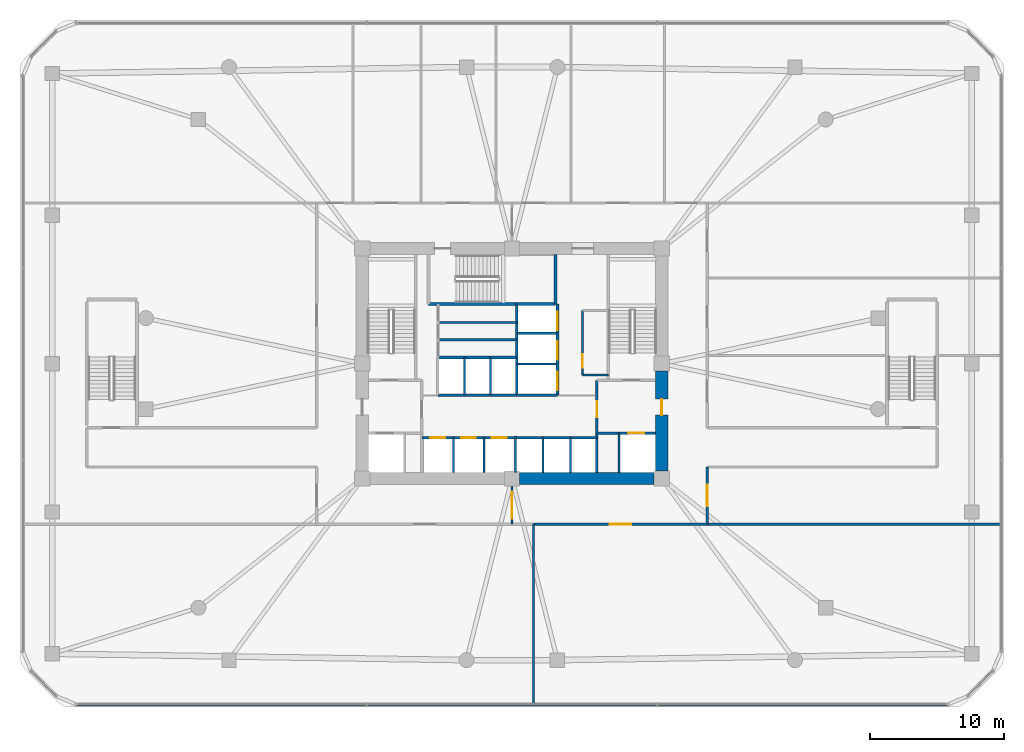
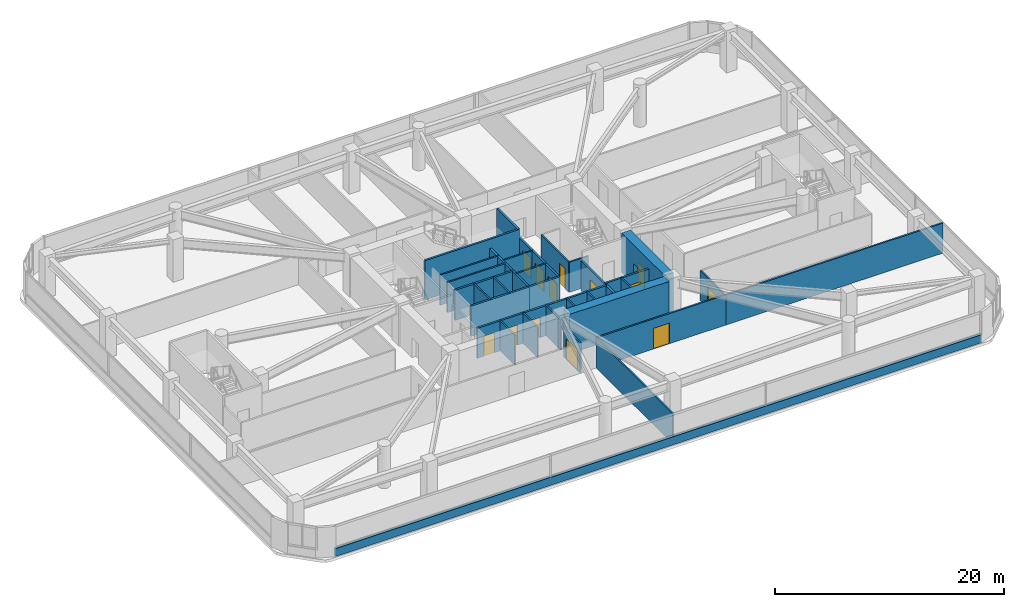
# One storey, part 17 of 21: 33 walls, 13 doors, 13 openings.
"""IFC4 building model written with IfcOpenShell, lengths in metres."""

from ifc_helpers import new_model, si_unit, derived_unit, direction, frame, frame_2d, origin, place, context, subcontext, project, spatial, rectangle, extrude, material, layer, layer_set, type_object, element, fill, save


model = new_model("IFC4")

# Units and contexts
model_context = context("Model", 3, precision=1e-05, world=origin(), true_north=direction((0.0, 1.0)))
body_context = subcontext(model_context, "Body", "Model", "MODEL_VIEW")
ifc_project = project(units=[si_unit("LENGTHUNIT", "METRE"), si_unit("AREAUNIT", "SQUARE_METRE"), si_unit("VOLUMEUNIT", "CUBIC_METRE"), si_unit("PLANEANGLEUNIT", "RADIAN"), si_unit("MASSUNIT", "GRAM", prefix="KILO"), derived_unit("THERMALTRANSMITTANCEUNIT", [(si_unit("POWERUNIT", "WATT"), 1), (si_unit("LENGTHUNIT", "METRE"), -2), (si_unit("THERMODYNAMICTEMPERATUREUNIT", "KELVIN"), -1)])], contexts=[model_context])

# Site, building, storey
site_placement = place(None, origin())
site = spatial("IfcSite", under=ifc_project, at=site_placement, CompositionType="ELEMENT")
building_placement = place(site_placement, origin())
building = spatial("IfcBuilding", under=site, at=building_placement, Name="Koralith Skygarden Medical Center", CompositionType="ELEMENT")
storey_placement = place(building_placement, frame((0.0, 0.0, 14.39990234375)))
storey = spatial("IfcBuildingStorey", under=building, at=storey_placement, Name="L03", CompositionType="ELEMENT", Elevation=14.39990234375)

# Wall, opening, door
ifc_material_1 = material(Name="Gypsum Board Partition")
ifc_layer_1 = layer(ifc_material_1, 0.14990234375)
ifc_layer_set_1 = layer_set([ifc_layer_1], Name="Gypsum Board Partition")
wall_type_1 = type_object("IfcWallType", Name="Clinical Acoustic Partition 150", PredefinedType="PARTITIONING", material=ifc_layer_set_1)
wall_1_placement = place(storey_placement, frame((42.27001953125, 25.0400390625, 0.0), z_axis=(0.0, 0.0, 1.0), x_axis=(0.0, 1.0, 0.0)))
wall_1 = element("IfcWall", 1, at=wall_1_placement, inside=storey, type_object=wall_type_1, Name="L03 Clinical Acoustic Partition 150 W-CORE-L03-ESUB-W", PredefinedType="PARTITIONING", context=body_context, shape_type="SweptSolid", body=[
    extrude(rectangle(XDim=4.820068359375, YDim=0.14990234375, at=frame_2d((2.41015625, 0.0))), origin(), (0.0, 0.0, 1.0), 3.210205078125),
])
opening_1_placement = place(wall_1_placement, frame((0.550048828125, 0.0, 0.0)))
opening_1 = element("IfcOpeningElement", 2, at=opening_1_placement, cuts=wall_1, Name="Opening D-SUP", PredefinedType="OPENING", context=body_context, shape_type="SweptSolid", body=[
    extrude(rectangle(XDim=1.0, YDim=2.14990234375, at=frame_2d((0.5, 1.074951171875))), frame((0.0, 0.0849609375, 0.0), z_axis=(0.0, -1.0, 0.0), x_axis=(1.0, 0.0, 0.0)), (0.0, 0.0, 1.0), 0.169921875),
])
ifc_material_2 = material(Name="Aluminium 6063-T6", Category="aluminium")
door_type_1 = type_object("IfcDoorType", Name="Clinical Support Door D-SUP 1000", OperationType="NOTDEFINED", PredefinedType="DOOR", material=ifc_material_2)
door_1_placement = place(opening_1_placement, origin())
door_1 = element("IfcDoor", 3, at=door_1_placement, inside=storey, type_object=door_type_1, Name="L03 Core Equipment Store Door", OperationType="SINGLE_SWING_LEFT", OverallHeight=2.14990234375, OverallWidth=1.0, PredefinedType="DOOR", context=body_context, shape_type="SweptSolid", body=[
    extrude(rectangle(XDim=1.0, YDim=2.14990234375, at=frame_2d((0.5, 1.074951171875))), frame((0.0, 0.02490234375, 0.0), z_axis=(0.0, -1.0, 0.0), x_axis=(1.0, 0.0, 0.0)), (0.0, 0.0, 1.0), 0.050048828125),
])
fill(opening_1, door_1)

# Walls
wall_2_placement = place(storey_placement, frame((42.27001953125, 25.0400390625, 0.0), z_axis=(0.0, 0.0, 1.0), x_axis=(1.0, 0.0, 0.0)))
element("IfcWall", 4, at=wall_2_placement, inside=storey, type_object=wall_type_1, Name="L03 Clinical Acoustic Partition 150 W-CORE-L03-ESUB-S", PredefinedType="PARTITIONING", context=body_context, shape_type="SweptSolid", body=[
    extrude(rectangle(XDim=1.929931640625, YDim=0.14990234375, at=frame_2d((0.96484375, 0.0))), origin(), (0.0, 0.0, 1.0), 3.210205078125),
])
wall_3_placement = place(storey_placement, frame((31.47998046875, 28.97998046875, 0.0), z_axis=(0.0, 0.0, 1.0), x_axis=(1.0, 0.0, 0.0)))
element("IfcWall", 5, at=wall_3_placement, inside=storey, type_object=wall_type_1, Name="L03 Clinical Acoustic Partition 150 W-CORE-L03-FLEX-H1B", PredefinedType="PARTITIONING", context=body_context, shape_type="SweptSolid", body=[
    extrude(rectangle(XDim=5.89013671875, YDim=0.14990234375, at=frame_2d((2.945068359375, 0.0))), origin(), (0.0, 0.0, 1.0), 3.210205078125),
])
wall_4_placement = place(storey_placement, frame((38.60009765625, 0.43994140625, 0.0), z_axis=(0.0, 0.0, 1.0), x_axis=(0.0, 1.0, 0.0)))
element("IfcWall", 6, at=wall_4_placement, inside=storey, type_object=wall_type_1, Name="L03 Clinical Acoustic Partition 150 W-PDPART-L03-S-1", PredefinedType="PARTITIONING", context=body_context, shape_type="SweptSolid", body=[
    extrude(rectangle(XDim=13.449951171875, YDim=0.14990234375, at=frame_2d((6.72509765625, 0.0))), origin(), (0.0, 0.0, 1.0), 3.210205078125),
])
ifc_layer_2 = layer(ifc_material_1, 0.1650390625)
ifc_layer_set_2 = layer_set([ifc_layer_2], Name="Gypsum Board Partition")
wall_type_2 = type_object("IfcWallType", Name="Clinical Corridor Partition 165", PredefinedType="PARTITIONING", material=ifc_layer_set_2)
wall_5_placement = place(storey_placement, frame((51.610107421875, 13.889892578125, 0.0), z_axis=(0.0, 0.0, 1.0), x_axis=(1.0, 0.0, 0.0)))
element("IfcWall", 7, at=wall_5_placement, inside=storey, type_object=wall_type_2, Name="L03 Clinical Corridor Partition 165 W-WB-L03-SE", PredefinedType="PARTITIONING", context=body_context, shape_type="SweptSolid", body=[
    extrude(rectangle(XDim=21.949951171875, YDim=0.1650390625, at=frame_2d((10.97509765625, 0.0))), origin(), (0.0, 0.0, 1.0), 3.210205078125),
])

# Wall, opening, door
wall_6_placement = place(storey_placement, frame((38.60009765625, 13.889892578125, 0.0), z_axis=(0.0, 0.0, 1.0), x_axis=(1.0, 0.0, 0.0)))
wall_6 = element("IfcWall", 8, at=wall_6_placement, inside=storey, type_object=wall_type_2, Name="L03 Clinical Corridor Partition 165 W-PDCOR-L03-S-2", PredefinedType="PARTITIONING", context=body_context, shape_type="SweptSolid", body=[
    extrude(rectangle(XDim=13.010009765625, YDim=0.1650390625, at=frame_2d((6.5048828125, 0.0))), origin(), (0.0, 0.0, 1.0), 3.210205078125),
])
opening_2_placement = place(wall_6_placement, frame((5.705078125, 0.0, 0.0)))
opening_2 = element("IfcOpeningElement", 9, at=opening_2_placement, cuts=wall_6, Name="Opening D-DBL", PredefinedType="OPENING", context=body_context, shape_type="SweptSolid", body=[
    extrude(rectangle(XDim=1.60009765625, YDim=2.199951171875, at=frame_2d((0.800048828125, 1.10009765625))), frame((0.0, 0.092529296875, 0.0), z_axis=(0.0, -1.0, 0.0), x_axis=(1.0, 0.0, 0.0)), (0.0, 0.0, 1.0), 0.18505859375),
])
door_type_2 = type_object("IfcDoorType", Name="Double Clinical Suite Door D-DBL 1600", OperationType="NOTDEFINED", PredefinedType="DOOR", material=ifc_material_2)
door_2_placement = place(opening_2_placement, frame((1.60009765625, 0.0, 0.0), z_axis=(0.0, 0.0, 1.0), x_axis=(-1.0, 0.0, 0.0)))
door_2 = element("IfcDoor", 10, at=door_2_placement, inside=storey, type_object=door_type_2, Name="L03 Interventional Recovery Waiting Lounge Door", OperationType="DOUBLE_DOOR_SINGLE_SWING", OverallHeight=2.199951171875, OverallWidth=1.60009765625, PredefinedType="DOOR", context=body_context, shape_type="SweptSolid", body=[
    extrude(rectangle(XDim=1.60009765625, YDim=2.199951171875, at=frame_2d((0.800048828125, 1.10009765625))), frame((0.0, 0.02490234375, 0.0), z_axis=(0.0, -1.0, 0.0), x_axis=(1.0, 0.0, 0.0)), (0.0, 0.0, 1.0), 0.050048828125),
])
fill(opening_2, door_2)

wall_7_placement = place(storey_placement, frame((51.610107421875, 13.889892578125, 0.0), z_axis=(0.0, 0.0, 1.0), x_axis=(0.0, 1.0, 0.0)))
wall_7 = element("IfcWall", 11, at=wall_7_placement, inside=storey, type_object=wall_type_2, Name="L03 Clinical Corridor Partition 165 W-PDCOR-L03-E-1", PredefinedType="PARTITIONING", context=body_context, shape_type="SweptSolid", body=[
    extrude(rectangle(XDim=4.280029296875, YDim=0.1650390625, at=frame_2d((2.14013671875, 0.0))), origin(), (0.0, 0.0, 1.0), 3.210205078125),
])
opening_3_placement = place(wall_7_placement, frame((1.340087890625, 0.0, 0.0)))
opening_3 = element("IfcOpeningElement", 12, at=opening_3_placement, cuts=wall_7, Name="Opening D-DBL", PredefinedType="OPENING", context=body_context, shape_type="SweptSolid", body=[
    extrude(rectangle(XDim=1.60009765625, YDim=2.199951171875, at=frame_2d((0.800048828125, 1.10009765625))), frame((0.0, 0.092529296875, 0.0), z_axis=(0.0, -1.0, 0.0), x_axis=(1.0, 0.0, 0.0)), (0.0, 0.0, 1.0), 0.18505859375),
])
door_3_placement = place(opening_3_placement, origin())
door_3 = element("IfcDoor", 13, at=door_3_placement, inside=storey, type_object=door_type_2, Name="L03 Bronchoscopy Procedure Room Door", OperationType="DOUBLE_DOOR_SINGLE_SWING", OverallHeight=2.199951171875, OverallWidth=1.60009765625, PredefinedType="DOOR", context=body_context, shape_type="SweptSolid", body=[
    extrude(rectangle(XDim=1.60009765625, YDim=2.199951171875, at=frame_2d((0.800048828125, 1.10009765625))), frame((0.0, 0.02490234375, 0.0), z_axis=(0.0, -1.0, 0.0), x_axis=(1.0, 0.0, 0.0)), (0.0, 0.0, 1.0), 0.050048828125),
])
fill(opening_3, door_3)

ifc_layer_3 = layer(ifc_material_1, 0.199951171875)
ifc_layer_set_3 = layer_set([ifc_layer_3], Name="Gypsum Board Partition")
wall_type_3 = type_object("IfcWallType", Name="Fire Shaft Wall 200", PredefinedType="SOLIDWALL", material=ifc_layer_set_3)
wall_8_placement = place(storey_placement, frame((43.35009765625, 20.699951171875, 0.0), z_axis=(0.0, 0.0, 1.0), x_axis=(1.0, 0.0, 0.0)))
wall_8 = element("IfcWall", 14, at=wall_8_placement, inside=storey, type_object=wall_type_3, Name="L03 Fire Shaft Wall 200 W-CORE-L03-FF2-N", PredefinedType="SOLIDWALL", context=body_context, shape_type="SweptSolid", body=[
    extrude(rectangle(XDim=4.39990234375, YDim=0.199951171875, at=frame_2d((2.199951171875, 0.0))), origin(), (0.0, 0.0, 1.0), 3.210205078125),
])
opening_4_placement = place(wall_8_placement, frame((2.35009765625, 0.0, 0.0)))
opening_4 = element("IfcOpeningElement", 15, at=opening_4_placement, cuts=wall_8, Name="Opening LD-FF", PredefinedType="OPENING", context=body_context, shape_type="SweptSolid", body=[
    extrude(rectangle(XDim=1.199951171875, YDim=2.14990234375, at=frame_2d((0.60009765625, 1.074951171875))), frame((0.0, 0.10986328125, 0.0), z_axis=(0.0, -1.0, 0.0), x_axis=(1.0, 0.0, 0.0)), (0.0, 0.0, 1.0), 0.219970703125),
])
ifc_material_3 = material(Name="Steel ASTM A500 Grade C", Category="steel")
door_type_3 = type_object("IfcDoorType", Name="Fire Lift Sliding Landing Door LD-FF 1200", OperationType="NOTDEFINED", PredefinedType="DOOR", material=ifc_material_3)
door_4_placement = place(opening_4_placement, origin())
door_4 = element("IfcDoor", 16, at=door_4_placement, inside=storey, type_object=door_type_3, Name="L03 Fire Service Elevator FF2 Landing Door", OperationType="SLIDING_TO_RIGHT", OverallHeight=2.14990234375, OverallWidth=1.199951171875, PredefinedType="DOOR", context=body_context, shape_type="SweptSolid", body=[
    extrude(rectangle(XDim=1.199951171875, YDim=2.14990234375, at=frame_2d((0.60009765625, 1.074951171875))), frame((0.0, 0.02490234375, 0.0), z_axis=(0.0, -1.0, 0.0), x_axis=(1.0, 0.0, 0.0)), (0.0, 0.0, 1.0), 0.050048828125),
])
fill(opening_4, door_4)

wall_9_placement = place(storey_placement, frame((43.35009765625, 17.75, 0.0), z_axis=(0.0, 0.0, 1.0), x_axis=(0.0, 1.0, 0.0)))
wall_9 = element("IfcWall", 17, at=wall_9_placement, inside=storey, type_object=wall_type_3, Name="L03 Fire Shaft Wall 200 W-CORE-L03-FSAEE-W", PredefinedType="SOLIDWALL", context=body_context, shape_type="SweptSolid", body=[
    extrude(rectangle(XDim=6.89990234375, YDim=0.199951171875, at=frame_2d((3.449951171875, 0.0))), origin(), (0.0, 0.0, 1.0), 3.210205078125),
])
opening_5_placement = place(wall_9_placement, frame((4.14990234375, 0.0, 0.0)))
opening_5 = element("IfcOpeningElement", 18, at=opening_5_placement, cuts=wall_9, Name="Opening D-ST60", PredefinedType="OPENING", context=body_context, shape_type="SweptSolid", body=[
    extrude(rectangle(XDim=1.199951171875, YDim=2.14990234375, at=frame_2d((0.60009765625, 1.074951171875))), frame((0.0, 0.10986328125, 0.0), z_axis=(0.0, -1.0, 0.0), x_axis=(1.0, 0.0, 0.0)), (0.0, 0.0, 1.0), 0.219970703125),
])
door_type_4 = type_object("IfcDoorType", Name="Smokeproof Stair Fire Door FD60S 1200", OperationType="NOTDEFINED", PredefinedType="DOOR", material=ifc_material_3)
door_5_placement = place(opening_5_placement, frame((1.199951171875, 0.0, 0.0), z_axis=(0.0, 0.0, 1.0), x_axis=(-1.0, 0.0, 0.0)))
door_5 = element("IfcDoor", 19, at=door_5_placement, inside=storey, type_object=door_type_4, Name="L03 East Firefighting Lobby Inner Fire Door", OperationType="SINGLE_SWING_RIGHT", OverallHeight=2.14990234375, OverallWidth=1.199951171875, PredefinedType="DOOR", context=body_context, shape_type="SweptSolid", body=[
    extrude(rectangle(XDim=1.199951171875, YDim=2.14990234375, at=frame_2d((0.60009765625, 1.074951171875))), frame((0.0, 0.02490234375, 0.0), z_axis=(0.0, -1.0, 0.0), x_axis=(1.0, 0.0, 0.0)), (0.0, 0.0, 1.0), 0.050048828125),
])
fill(opening_5, door_5)

# Wall, openings, doors
wall_10_placement = place(storey_placement, frame((30.25, 20.360107421875, 0.0), z_axis=(0.0, 0.0, 1.0), x_axis=(1.0, 0.0, 0.0)))
wall_10 = element("IfcWall", 20, at=wall_10_placement, inside=storey, type_object=wall_type_3, Name="L03 Fire Shaft Wall 200 W-CORE-L03-PL-N", PredefinedType="SOLIDWALL", context=body_context, shape_type="SweptSolid", body=[
    extrude(rectangle(XDim=7.0, YDim=0.199951171875, at=frame_2d((3.5, 0.0))), origin(), (0.0, 0.0, 1.0), 3.210205078125),
])
opening_6_placement = place(wall_10_placement, frame((0.64990234375, 0.0, 0.0)))
opening_6 = element("IfcOpeningElement", 21, at=opening_6_placement, cuts=wall_10, Name="Opening LD-P", PredefinedType="OPENING", context=body_context, shape_type="SweptSolid", body=[
    extrude(rectangle(XDim=1.10009765625, YDim=2.14990234375, at=frame_2d((0.550048828125, 1.074951171875))), frame((0.0, 0.10986328125, 0.0), z_axis=(0.0, -1.0, 0.0), x_axis=(1.0, 0.0, 0.0)), (0.0, 0.0, 1.0), 0.219970703125),
])
opening_7_placement = place(wall_10_placement, frame((2.949951171875, 0.0, 0.0)))
opening_7 = element("IfcOpeningElement", 22, at=opening_7_placement, cuts=wall_10, Name="Opening LD-P", PredefinedType="OPENING", context=body_context, shape_type="SweptSolid", body=[
    extrude(rectangle(XDim=1.10009765625, YDim=2.14990234375, at=frame_2d((0.550048828125, 1.074951171875))), frame((0.0, 0.10986328125, 0.0), z_axis=(0.0, -1.0, 0.0), x_axis=(1.0, 0.0, 0.0)), (0.0, 0.0, 1.0), 0.219970703125),
])
opening_8_placement = place(wall_10_placement, frame((5.25, 0.0, 0.0)))
opening_8 = element("IfcOpeningElement", 23, at=opening_8_placement, cuts=wall_10, Name="Opening LD-P", PredefinedType="OPENING", context=body_context, shape_type="SweptSolid", body=[
    extrude(rectangle(XDim=1.10009765625, YDim=2.14990234375, at=frame_2d((0.550048828125, 1.074951171875))), frame((0.0, 0.10986328125, 0.0), z_axis=(0.0, -1.0, 0.0), x_axis=(1.0, 0.0, 0.0)), (0.0, 0.0, 1.0), 0.219970703125),
])
door_type_5 = type_object("IfcDoorType", Name="Passenger Lift Sliding Landing Door LD-P 1100", OperationType="NOTDEFINED", PredefinedType="DOOR", material=ifc_material_3)
door_6_placement = place(opening_6_placement, origin())
door_6 = element("IfcDoor", 24, at=door_6_placement, inside=storey, type_object=door_type_5, Name="L03 Passenger Elevator PL1 Landing Door", OperationType="SLIDING_TO_LEFT", OverallHeight=2.14990234375, OverallWidth=1.10009765625, PredefinedType="DOOR", context=body_context, shape_type="SweptSolid", body=[
    extrude(rectangle(XDim=1.10009765625, YDim=2.14990234375, at=frame_2d((0.550048828125, 1.074951171875))), frame((0.0, 0.02490234375, 0.0), z_axis=(0.0, -1.0, 0.0), x_axis=(1.0, 0.0, 0.0)), (0.0, 0.0, 1.0), 0.050048828125),
])
fill(opening_6, door_6)
door_7_placement = place(opening_7_placement, origin())
door_7 = element("IfcDoor", 25, at=door_7_placement, inside=storey, type_object=door_type_5, Name="L03 Passenger Elevator PL2 Landing Door", OperationType="SLIDING_TO_LEFT", OverallHeight=2.14990234375, OverallWidth=1.10009765625, PredefinedType="DOOR", context=body_context, shape_type="SweptSolid", body=[
    extrude(rectangle(XDim=1.10009765625, YDim=2.14990234375, at=frame_2d((0.550048828125, 1.074951171875))), frame((0.0, 0.02490234375, 0.0), z_axis=(0.0, -1.0, 0.0), x_axis=(1.0, 0.0, 0.0)), (0.0, 0.0, 1.0), 0.050048828125),
])
fill(opening_7, door_7)
door_8_placement = place(opening_8_placement, origin())
door_8 = element("IfcDoor", 26, at=door_8_placement, inside=storey, type_object=door_type_5, Name="L03 Passenger Elevator PL3 Landing Door", OperationType="SLIDING_TO_LEFT", OverallHeight=2.14990234375, OverallWidth=1.10009765625, PredefinedType="DOOR", context=body_context, shape_type="SweptSolid", body=[
    extrude(rectangle(XDim=1.10009765625, YDim=2.14990234375, at=frame_2d((0.550048828125, 1.074951171875))), frame((0.0, 0.02490234375, 0.0), z_axis=(0.0, -1.0, 0.0), x_axis=(1.0, 0.0, 0.0)), (0.0, 0.0, 1.0), 0.050048828125),
])
fill(opening_8, door_8)

# Walls
wall_11_placement = place(storey_placement, frame((37.25, 20.360107421875, 0.0), z_axis=(0.0, 0.0, 1.0), x_axis=(1.0, 0.0, 0.0)))
element("IfcWall", 27, at=wall_11_placement, inside=storey, type_object=wall_type_3, Name="L03 Fire Shaft Wall 200 W-CORE-L03-PM-N", PredefinedType="SOLIDWALL", context=body_context, shape_type="SweptSolid", body=[
    extrude(rectangle(XDim=6.10009765625, YDim=0.199951171875, at=frame_2d((3.050048828125, 0.0))), origin(), (0.0, 0.0, 1.0), 3.210205078125),
])
for number, where, z_axis, x_axis, name in (
    (28, (31.449951171875, 23.5400390625, 0.0), (0.0, 0.0, 1.0), (1.0, 0.0, 0.0), "L03 Fire Shaft Wall 200 W-CORE-L03-PH-S"),
    (29, (31.449951171875, 26.35009765625, 0.0), (0.0, 0.0, 1.0), (1.0, 0.0, 0.0), "L03 Fire Shaft Wall 200 W-CORE-L03-PH-N"),
):
    element("IfcWall", number, at=place(storey_placement, frame(where, z_axis=z_axis, x_axis=x_axis)), inside=storey, type_object=wall_type_3, Name=name, PredefinedType="SOLIDWALL", context=body_context, shape_type="SweptSolid", body=[
        extrude(rectangle(XDim=5.900146484375, YDim=0.199951171875, at=frame_2d((2.9501953125, 0.0))), origin(), (0.0, 0.0, 1.0), 3.210205078125),
    ])
wall_12_placement = place(storey_placement, frame((37.35009765625, 23.5400390625, 0.0), z_axis=(0.0, 0.0, 1.0), x_axis=(0.0, 1.0, 0.0)))
element("IfcWall", 30, at=wall_12_placement, inside=storey, type_object=wall_type_3, Name="L03 Fire Shaft Wall 200 W-CORE-L03-SV-W", PredefinedType="SOLIDWALL", context=body_context, shape_type="SweptSolid", body=[
    extrude(rectangle(XDim=6.820068359375, YDim=0.199951171875, at=frame_2d((3.41015625, 0.0))), origin(), (0.0, 0.0, 1.0), 3.210205078125),
])
wall_13_placement = place(storey_placement, frame((37.35009765625, 23.5400390625, 0.0), z_axis=(0.0, 0.0, 1.0), x_axis=(1.0, 0.0, 0.0)))
element("IfcWall", 31, at=wall_13_placement, inside=storey, type_object=wall_type_3, Name="L03 Fire Shaft Wall 200 W-CORE-L03-SV-S", PredefinedType="SOLIDWALL", context=body_context, shape_type="SweptSolid", body=[
    extrude(rectangle(XDim=3.0498046875, YDim=0.199951171875, at=frame_2d((1.52490234375, 0.0))), origin(), (0.0, 0.0, 1.0), 3.210205078125),
])

# Wall, openings, doors
wall_14_placement = place(storey_placement, frame((40.39990234375, 23.5400390625, 0.0), z_axis=(0.0, 0.0, 1.0), x_axis=(0.0, 1.0, 0.0)))
wall_14 = element("IfcWall", 32, at=wall_14_placement, inside=storey, type_object=wall_type_3, Name="L03 Fire Shaft Wall 200 W-CORE-L03-SV-E", PredefinedType="SOLIDWALL", context=body_context, shape_type="SweptSolid", body=[
    extrude(rectangle(XDim=6.820068359375, YDim=0.199951171875, at=frame_2d((3.41015625, 0.0))), origin(), (0.0, 0.0, 1.0), 3.210205078125),
])
opening_9_placement = place(wall_14_placement, frame((0.35009765625, 0.0, 0.0)))
opening_9 = element("IfcOpeningElement", 33, at=opening_9_placement, cuts=wall_14, Name="Opening LD-SV", PredefinedType="OPENING", context=body_context, shape_type="SweptSolid", body=[
    extrude(rectangle(XDim=1.39990234375, YDim=2.199951171875, at=frame_2d((0.699951171875, 1.10009765625))), frame((0.0, 0.10986328125, 0.0), z_axis=(0.0, -1.0, 0.0), x_axis=(1.0, 0.0, 0.0)), (0.0, 0.0, 1.0), 0.219970703125),
])
opening_10_placement = place(wall_14_placement, frame((2.64990234375, 0.0, 0.0)))
opening_10 = element("IfcOpeningElement", 34, at=opening_10_placement, cuts=wall_14, Name="Opening LD-SV", PredefinedType="OPENING", context=body_context, shape_type="SweptSolid", body=[
    extrude(rectangle(XDim=1.39990234375, YDim=2.199951171875, at=frame_2d((0.699951171875, 1.10009765625))), frame((0.0, 0.10986328125, 0.0), z_axis=(0.0, -1.0, 0.0), x_axis=(1.0, 0.0, 0.0)), (0.0, 0.0, 1.0), 0.219970703125),
])
opening_11_placement = place(wall_14_placement, frame((4.85009765625, 0.0, 0.0)))
opening_11 = element("IfcOpeningElement", 35, at=opening_11_placement, cuts=wall_14, Name="Opening LD-SV", PredefinedType="OPENING", context=body_context, shape_type="SweptSolid", body=[
    extrude(rectangle(XDim=1.39990234375, YDim=2.199951171875, at=frame_2d((0.699951171875, 1.10009765625))), frame((0.0, 0.10986328125, 0.0), z_axis=(0.0, -1.0, 0.0), x_axis=(1.0, 0.0, 0.0)), (0.0, 0.0, 1.0), 0.219970703125),
])
door_type_6 = type_object("IfcDoorType", Name="Bed Lift Sliding Landing Door LD-SV 1400", OperationType="NOTDEFINED", PredefinedType="DOOR", material=ifc_material_3)
door_9_placement = place(opening_9_placement, origin())
door_9 = element("IfcDoor", 36, at=door_9_placement, inside=storey, type_object=door_type_6, Name="L03 Bed Elevator BD1 Landing Door", OperationType="SLIDING_TO_LEFT", OverallHeight=2.199951171875, OverallWidth=1.39990234375, PredefinedType="DOOR", context=body_context, shape_type="SweptSolid", body=[
    extrude(rectangle(XDim=1.39990234375, YDim=2.199951171875, at=frame_2d((0.699951171875, 1.10009765625))), frame((0.0, 0.02490234375, 0.0), z_axis=(0.0, -1.0, 0.0), x_axis=(1.0, 0.0, 0.0)), (0.0, 0.0, 1.0), 0.050048828125),
])
fill(opening_9, door_9)
door_10_placement = place(opening_10_placement, origin())
door_10 = element("IfcDoor", 37, at=door_10_placement, inside=storey, type_object=door_type_6, Name="L03 Service Elevator BD2 Landing Door", OperationType="SLIDING_TO_LEFT", OverallHeight=2.199951171875, OverallWidth=1.39990234375, PredefinedType="DOOR", context=body_context, shape_type="SweptSolid", body=[
    extrude(rectangle(XDim=1.39990234375, YDim=2.199951171875, at=frame_2d((0.699951171875, 1.10009765625))), frame((0.0, 0.02490234375, 0.0), z_axis=(0.0, -1.0, 0.0), x_axis=(1.0, 0.0, 0.0)), (0.0, 0.0, 1.0), 0.050048828125),
])
fill(opening_10, door_10)
door_11_placement = place(opening_11_placement, origin())
door_11 = element("IfcDoor", 38, at=door_11_placement, inside=storey, type_object=door_type_6, Name="L03 Trauma Elevator TR1 Landing Door", OperationType="SLIDING_TO_RIGHT", OverallHeight=2.199951171875, OverallWidth=1.39990234375, PredefinedType="DOOR", context=body_context, shape_type="SweptSolid", body=[
    extrude(rectangle(XDim=1.39990234375, YDim=2.199951171875, at=frame_2d((0.699951171875, 1.10009765625))), frame((0.0, 0.02490234375, 0.0), z_axis=(0.0, -1.0, 0.0), x_axis=(1.0, 0.0, 0.0)), (0.0, 0.0, 1.0), 0.050048828125),
])
fill(opening_11, door_11)

# Wall, opening, door
ifc_layer_4 = layer(ifc_material_1, 0.179931640625)
ifc_layer_set_4 = layer_set([ifc_layer_4], Name="Gypsum Board Partition")
wall_type_4 = type_object("IfcWallType", Name="Group I-2 Smoke Barrier Wall 180", PredefinedType="PARTITIONING", material=ifc_layer_set_4)
wall_15_placement = place(storey_placement, frame((37.0, 13.889892578125, 0.0), z_axis=(0.0, 0.0, 1.0), x_axis=(0.0, 1.0, 0.0)))
wall_15 = element("IfcWall", 39, at=wall_15_placement, inside=storey, type_object=wall_type_4, Name="L03 Group I-2 Smoke Barrier Wall 180 W-PSMK-L03-S", PredefinedType="PARTITIONING", context=body_context, shape_type="SweptSolid", body=[
    extrude(rectangle(XDim=2.830078125, YDim=0.179931640625, at=frame_2d((1.4150390625, 0.0))), origin(), (0.0, 0.0, 1.0), 3.210205078125),
])
opening_12_placement = place(wall_15_placement, frame((0.4150390625, 0.0, 0.0)))
opening_12 = element("IfcOpeningElement", 40, at=opening_12_placement, cuts=wall_15, Name="Opening D-SMK", PredefinedType="OPENING", context=body_context, shape_type="SweptSolid", body=[
    extrude(rectangle(XDim=2.0, YDim=2.199951171875, at=frame_2d((1.0, 1.10009765625))), frame((0.0, 0.099853515625, 0.0), z_axis=(0.0, -1.0, 0.0), x_axis=(1.0, 0.0, 0.0)), (0.0, 0.0, 1.0), 0.199951171875),
])
door_type_7 = type_object("IfcDoorType", Name="Cross-Corridor Double Smoke Door FD60S 2000", OperationType="NOTDEFINED", PredefinedType="DOOR", material=ifc_material_3)
door_12_placement = place(opening_12_placement, frame((2.0, 0.0, 0.0), z_axis=(0.0, 0.0, 1.0), x_axis=(-1.0, 0.0, 0.0)))
door_12 = element("IfcDoor", 41, at=door_12_placement, inside=storey, type_object=door_type_7, Name="L03 S Podium Smoke Door", OperationType="DOUBLE_DOOR_SINGLE_SWING", OverallHeight=2.199951171875, OverallWidth=2.0, PredefinedType="DOOR", context=body_context, shape_type="SweptSolid", body=[
    extrude(rectangle(XDim=2.0, YDim=2.199951171875, at=frame_2d((1.0, 1.10009765625))), frame((0.0, 0.02490234375, 0.0), z_axis=(0.0, -1.0, 0.0), x_axis=(1.0, 0.0, 0.0)), (0.0, 0.0, 1.0), 0.050048828125),
])
fill(opening_12, door_12)

# Walls
ifc_material_4 = material(Name="Warm Oolitic Limestone Cladding", Category="masonry")
ifc_layer_5 = layer(ifc_material_4, 0.239990234375)
ifc_layer_set_5 = layer_set([ifc_layer_5], Name="Warm Oolitic Limestone Cladding")
wall_type_5 = type_object("IfcWallType", Name="Limestone Spandrel Sill Backup Wall 240", PredefinedType="SOLIDWALL", material=ifc_layer_set_5)
wall_16_placement = place(storey_placement, frame((4.37890625, 0.419921875, 0.0), z_axis=(0.0, 0.0, 1.0), x_axis=(1.0, 0.0, 0.0)))
element("IfcWall", 42, at=wall_16_placement, inside=storey, type_object=wall_type_5, Name="L03 Sill Spandrel Wall S", PredefinedType="SOLIDWALL", context=body_context, shape_type="SweptSolid", body=[
    extrude(rectangle(XDim=65.2421875, YDim=0.239990234375, at=frame_2d((32.62109375, 0.0))), origin(), (0.0, 0.0, 1.0), 0.85009765625),
])
ifc_material_5 = material(Name="Concrete C70/85", Category="concrete")
ifc_layer_6 = layer(ifc_material_5, 0.89990234375)
ifc_layer_set_6 = layer_set([ifc_layer_6], Name="Concrete C70/85")
wall_type_6 = type_object("IfcWallType", Name="Lower Core Shear Wall 900", PredefinedType="SHEAR", material=ifc_layer_set_6)
wall_17_placement = place(storey_placement, frame((37.56494140625, 17.300048828125, 0.0), z_axis=(0.0, 0.0, 1.0), x_axis=(1.0, 0.0, 0.0)))
element("IfcWall", 43, at=wall_17_placement, inside=storey, type_object=wall_type_6, Name="L03 Core Shear Wall Segment 2", PredefinedType="SHEAR", context=body_context, shape_type="SweptSolid", body=[
    extrude(rectangle(XDim=10.070068359375, YDim=0.89990234375, at=frame_2d((5.03515625, 0.0))), origin(), (0.0, 0.0, 1.0), 4.2001953125),
])

# Wall, opening, door
wall_18_placement = place(storey_placement, frame((48.199951171875, 17.864990234375, 0.0), z_axis=(0.0, 0.0, 1.0), x_axis=(0.0, 1.0, 0.0)))
wall_18 = element("IfcWall", 44, at=wall_18_placement, inside=storey, type_object=wall_type_6, Name="L03 Core Shear Wall Segment 3", PredefinedType="SHEAR", context=body_context, shape_type="SweptSolid", body=[
    extrude(rectangle(XDim=7.469970703125, YDim=0.89990234375, at=frame_2d((3.73486328125, 0.0))), origin(), (0.0, 0.0, 1.0), 4.2001953125),
])
opening_13_placement = place(wall_18_placement, frame((4.18505859375, 0.0, 0.0)))
opening_13 = element("IfcOpeningElement", 45, at=opening_13_placement, cuts=wall_18, Name="Opening D-ST60", PredefinedType="OPENING", context=body_context, shape_type="SweptSolid", body=[
    extrude(rectangle(XDim=1.199951171875, YDim=2.14990234375, at=frame_2d((0.60009765625, 1.074951171875))), frame((0.0, 0.4599609375, 0.0), z_axis=(0.0, -1.0, 0.0), x_axis=(1.0, 0.0, 0.0)), (0.0, 0.0, 1.0), 0.919921875),
])
door_13_placement = place(opening_13_placement, frame((1.199951171875, 0.0, 0.0), z_axis=(0.0, 0.0, 1.0), x_axis=(-1.0, 0.0, 0.0)))
door_13 = element("IfcDoor", 46, at=door_13_placement, inside=storey, type_object=door_type_4, Name="L03 East Corridor to Firefighting Lobby Door", OperationType="SINGLE_SWING_RIGHT", OverallHeight=2.14990234375, OverallWidth=1.199951171875, PredefinedType="DOOR", context=body_context, shape_type="SweptSolid", body=[
    extrude(rectangle(XDim=1.199951171875, YDim=2.14990234375, at=frame_2d((0.60009765625, 1.074951171875))), frame((0.0, 0.02490234375, 0.0), z_axis=(0.0, -1.0, 0.0), x_axis=(1.0, 0.0, 0.0)), (0.0, 0.0, 1.0), 0.050048828125),
])
fill(opening_13, door_13)

# Walls
ifc_layer_7 = layer(ifc_material_1, 0.1650390625)
ifc_layer_set_7 = layer_set([ifc_layer_7], Name="Gypsum Board Partition")
wall_type_7 = type_object("IfcWallType", Name="Plumbing Wet Wall 165", PredefinedType="PLUMBINGWALL", material=ifc_layer_set_7)
wall_19_placement = place(storey_placement, frame((31.47998046875, 27.679931640625, 0.0), z_axis=(0.0, 0.0, 1.0), x_axis=(1.0, 0.0, 0.0)))
element("IfcWall", 47, at=wall_19_placement, inside=storey, type_object=wall_type_7, Name="L03 Plumbing Wet Wall 165 W-CORE-L03-FLEX-H1A", PredefinedType="PLUMBINGWALL", context=body_context, shape_type="SweptSolid", body=[
    extrude(rectangle(XDim=5.8701171875, YDim=0.1650390625, at=frame_2d((2.93505859375, 0.0))), origin(), (0.0, 0.0, 1.0), 3.210205078125),
])
ifc_layer_8 = layer(ifc_material_1, 0.14990234375)
ifc_layer_set_8 = layer_set([ifc_layer_8], Name="Gypsum Board Partition")
wall_type_8 = type_object("IfcWallType", Name="Shaft Partition Wall 150", PredefinedType="PARTITIONING", material=ifc_layer_set_8)
wall_20_placement = place(storey_placement, frame((45.02001953125, 17.75, 0.0), z_axis=(0.0, 0.0, 1.0), x_axis=(0.0, 1.0, 0.0)))
element("IfcWall", 48, at=wall_20_placement, inside=storey, type_object=wall_type_8, Name="L03 Shaft Partition Wall 150 W-CORE-L03-RSRE-DIV", PredefinedType="PARTITIONING", context=body_context, shape_type="SweptSolid", body=[
    extrude(rectangle(XDim=2.949951171875, YDim=0.14990234375, at=frame_2d((1.47509765625, 0.0))), origin(), (0.0, 0.0, 1.0), 3.210205078125),
])
for number, where, z_axis, x_axis, name in (
    (49, (32.6201171875, 17.75, 0.0), (0.0, 0.0, 1.0), (0.0, 1.0, 0.0), "L03 Shaft Partition Wall 150 W-CORE-L03-PL-D1"),
    (50, (34.919921875, 17.75, 0.0), (0.0, 0.0, 1.0), (0.0, 1.0, 0.0), "L03 Shaft Partition Wall 150 W-CORE-L03-PL-D2"),
    (51, (39.320068359375, 17.75, 0.0), (0.0, 0.0, 1.0), (0.0, 1.0, 0.0), "L03 Shaft Partition Wall 150 W-CORE-L03-PM-D1"),
    (52, (41.3701171875, 17.75, 0.0), (0.0, 0.0, 1.0), (0.0, 1.0, 0.0), "L03 Shaft Partition Wall 150 W-CORE-L03-PM-D2"),
):
    element("IfcWall", number, at=place(storey_placement, frame(where, z_axis=z_axis, x_axis=x_axis)), inside=storey, type_object=wall_type_8, Name=name, PredefinedType="PARTITIONING", context=body_context, shape_type="SweptSolid", body=[
        extrude(rectangle(XDim=2.610107421875, YDim=0.14990234375, at=frame_2d((1.30517578125, 0.0))), origin(), (0.0, 0.0, 1.0), 3.210205078125),
    ])
wall_21_placement = place(storey_placement, frame((37.25, 17.75, 0.0), z_axis=(0.0, 0.0, 1.0), x_axis=(0.0, 1.0, 0.0)))
element("IfcWall", 53, at=wall_21_placement, inside=storey, type_object=wall_type_8, Name="L03 Shaft Partition Wall 150 W-CORE-L03-PL-PM-SEP", PredefinedType="PARTITIONING", context=body_context, shape_type="SweptSolid", body=[
    extrude(rectangle(XDim=2.72998046875, YDim=0.14990234375, at=frame_2d((1.364990234375, 0.0))), origin(), (0.0, 0.0, 1.0), 3.210205078125),
])
for number, where, z_axis, x_axis, name in (
    (54, (33.449951171875, 23.5400390625, 0.0), (0.0, 0.0, 1.0), (0.0, 1.0, 0.0), "L03 Shaft Partition Wall 150 W-CORE-L03-PH-D1"),
    (55, (35.39990234375, 23.5400390625, 0.0), (0.0, 0.0, 1.0), (0.0, 1.0, 0.0), "L03 Shaft Partition Wall 150 W-CORE-L03-PH-D2"),
):
    element("IfcWall", number, at=place(storey_placement, frame(where, z_axis=z_axis, x_axis=x_axis)), inside=storey, type_object=wall_type_8, Name=name, PredefinedType="PARTITIONING", context=body_context, shape_type="SweptSolid", body=[
        extrude(rectangle(XDim=2.81005859375, YDim=0.14990234375, at=frame_2d((1.405029296875, 0.0))), origin(), (0.0, 0.0, 1.0), 3.210205078125),
    ])
for number, where, z_axis, x_axis, name in (
    (56, (37.3701171875, 25.8701171875, 0.0), (0.0, 0.0, 1.0), (1.0, 0.0, 0.0), "L03 Shaft Partition Wall 150 W-CORE-L03-SV-D1"),
    (57, (37.3701171875, 28.169921875, 0.0), (0.0, 0.0, 1.0), (1.0, 0.0, 0.0), "L03 Shaft Partition Wall 150 W-CORE-L03-SV-D2"),
):
    element("IfcWall", number, at=place(storey_placement, frame(where, z_axis=z_axis, x_axis=x_axis)), inside=storey, type_object=wall_type_8, Name=name, PredefinedType="PARTITIONING", context=body_context, shape_type="SweptSolid", body=[
        extrude(rectangle(XDim=3.009765625, YDim=0.14990234375, at=frame_2d((1.5048828125, 0.0))), origin(), (0.0, 0.0, 1.0), 3.210205078125),
    ])
ifc_material_6 = material(Name="Concrete C45/55", Category="concrete")
ifc_layer_9 = layer(ifc_material_6, 0.199951171875)
ifc_layer_set_9 = layer_set([ifc_layer_9], Name="Concrete C45/55")
wall_type_9 = type_object("IfcWallType", Name="Structural Stair Shaft Wall 200", PredefinedType="SHEAR", material=ifc_layer_set_9)
wall_22_placement = place(storey_placement, frame((30.75, 30.360107421875, 0.0), z_axis=(0.0, 0.0, 1.0), x_axis=(1.0, 0.0, 0.0)))
element("IfcWall", 58, at=wall_22_placement, inside=storey, type_object=wall_type_9, Name="L03 Structural Stair Shaft Wall 200 W-CORE-L03-ST3-S", PredefinedType="SHEAR", context=body_context, shape_type="SweptSolid", body=[
    extrude(rectangle(XDim=9.5, YDim=0.199951171875, at=frame_2d((4.75, 0.0))), origin(), (0.0, 0.0, 1.0), 4.2001953125),
])
wall_23_placement = place(storey_placement, frame((40.25, 30.360107421875, 0.0), z_axis=(0.0, 0.0, 1.0), x_axis=(0.0, 1.0, 0.0)))
element("IfcWall", 59, at=wall_23_placement, inside=storey, type_object=wall_type_9, Name="L03 Structural Stair Shaft Wall 200 W-CORE-L03-ST3-E", PredefinedType="SHEAR", context=body_context, shape_type="SweptSolid", body=[
    extrude(rectangle(XDim=3.68994140625, YDim=0.199951171875, at=frame_2d((1.844970703125, 0.0))), origin(), (0.0, 0.0, 1.0), 4.2001953125),
])

save(model, "model.ifc")
